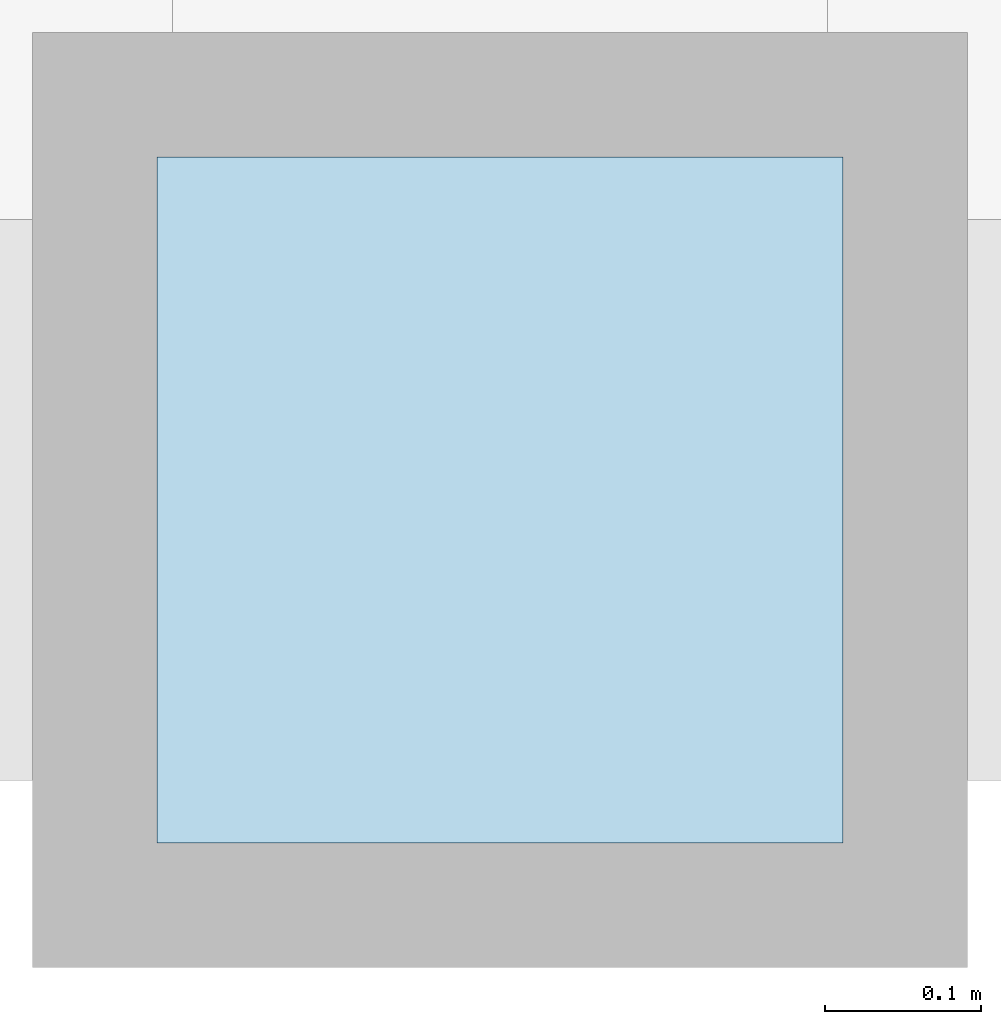
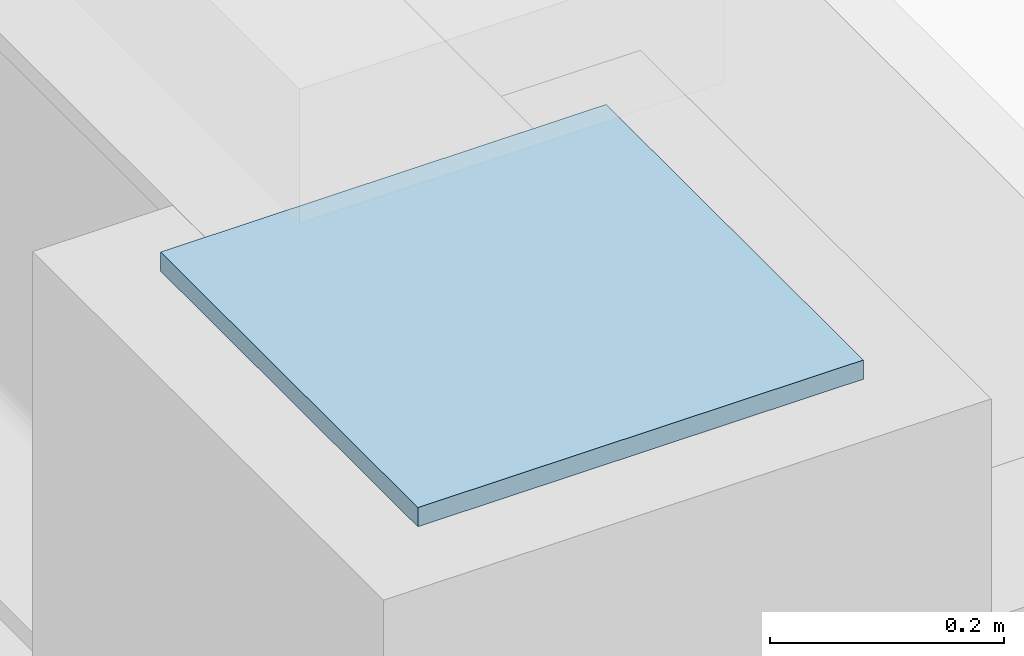
# One storey, part 61 of 70: 1 plate.
"""IFC4 building model written with IfcOpenShell, lengths in metres."""

from ifc_helpers import new_model, si_unit, direction, frame, origin, origin_2d, place, context, subcontext, project, spatial, rectangle, extrude, material, layer, layer_set, type_object, element, save


model = new_model("IFC4")

# Units and contexts
model_context = context("Model", 3, precision=1e-05, world=origin(), true_north=direction((0.0, 1.0)))
body_context = subcontext(model_context, "Body", "Model", "MODEL_VIEW")
ifc_project = project(units=[si_unit("LENGTHUNIT", "METRE"), si_unit("AREAUNIT", "SQUARE_METRE"), si_unit("VOLUMEUNIT", "CUBIC_METRE"), si_unit("PLANEANGLEUNIT", "RADIAN"), si_unit("MASSUNIT", "GRAM", prefix="KILO")], contexts=[model_context])

# Site, building, storey
site_placement = place(None, origin())
site = spatial("IfcSite", under=ifc_project, at=site_placement, CompositionType="ELEMENT")
building_placement = place(site_placement, origin())
building = spatial("IfcBuilding", under=site, at=building_placement, Name="Mavantir Sound Aquarium", CompositionType="ELEMENT")
storey_placement = place(building_placement, frame((0.0, 0.0, 27.0)))
storey = spatial("IfcBuildingStorey", under=building, at=storey_placement, Name="RF", CompositionType="ELEMENT", Elevation=27.0)

# Plate
ifc_material = material(Name="Structural Steel ASTM A572 Gr50", Category="steel")
ifc_layer = layer(ifc_material, 0.02001953125, Name="Structural Steel ASTM A572 Gr50")
ifc_layer_set = layer_set([ifc_layer], Name="Structural Steel ASTM A572 Gr50")
plate_type = type_object("IfcPlateType", Name="PLT-ENDCAP-20", PredefinedType="SHEET", material=ifc_layer_set)
plate_placement = place(storey_placement, frame((156.0, 40.800048828125, -4.699951171875), z_axis=(0.0, 0.0, 1.0), x_axis=(1.0, 0.0, 0.0)))
element("IfcPlate", 1, at=plate_placement, inside=storey, type_object=plate_type, Name="Ridge column cap plate 6.41", PredefinedType="SHEET", context=body_context, shape_type="SweptSolid", body=[
    extrude(rectangle(XDim=0.43994140625, YDim=0.43994140625, at=origin_2d()), origin(), (0.0, 0.0, 1.0), 0.02001953125),
])

save(model, "model.ifc")
